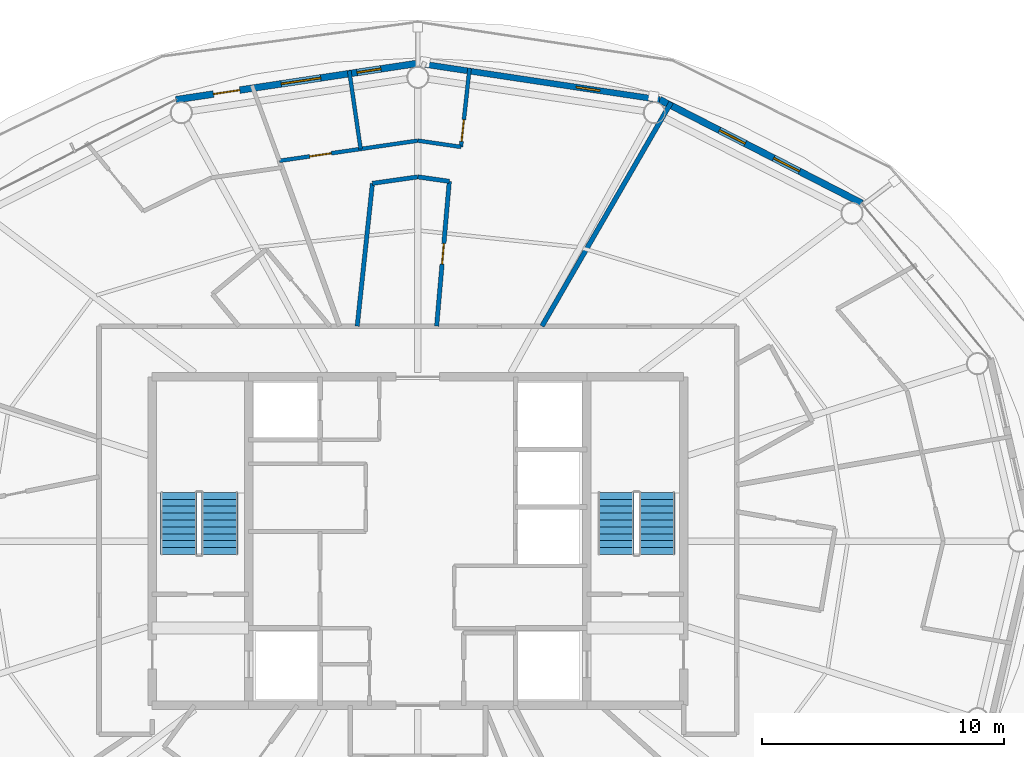
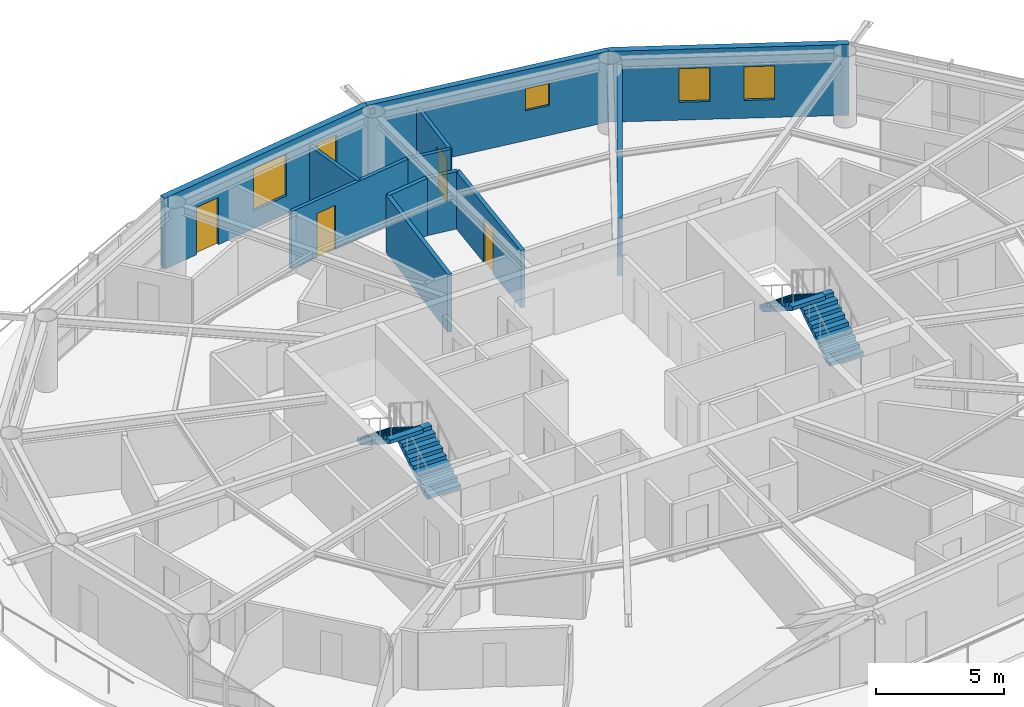
# One storey, part 19 of 22: 12 walls, 5 windows, 4 doors, 4 stair flights, 9 openings, 2 elements without a shape of their own.
"""IFC4 building model written with IfcOpenShell, lengths in metres."""

from ifc_helpers import new_model, si_unit, direction, frame, frame_2d, origin, place, context, subcontext, project, spatial, polyline, rectangle, outline, extrude, material, layer, layer_set, type_object, element, fill, aggregate, save


model = new_model("IFC4")

# Units and contexts
model_context = context("Model", 3, precision=1e-05, world=origin(), true_north=direction((0.0, 1.0)))
body_context = subcontext(model_context, "Body", "Model", "MODEL_VIEW")
ifc_project = project(units=[si_unit("LENGTHUNIT", "METRE"), si_unit("AREAUNIT", "SQUARE_METRE"), si_unit("VOLUMEUNIT", "CUBIC_METRE"), si_unit("PLANEANGLEUNIT", "RADIAN"), si_unit("MASSUNIT", "GRAM", prefix="KILO")], contexts=[model_context])

# Site, building, storey
site_placement = place(None, origin())
site = spatial("IfcSite", under=ifc_project, at=site_placement, CompositionType="ELEMENT")
building_placement = place(site_placement, origin())
building = spatial("IfcBuilding", under=site, at=building_placement, Name="Sarneth Arch Tower", CompositionType="ELEMENT")
storey_placement = place(building_placement, frame((0.0, 0.0, 294.60009765625)))
storey = spatial("IfcBuildingStorey", under=building, at=storey_placement, Name="L76", CompositionType="ELEMENT", Elevation=294.60009765625)

# Wall, opening, window
ifc_material_1 = material(Name="Extruded terracotta rainscreen on Concrete C40/50 backing", Category="masonry")
ifc_layer_1 = layer(ifc_material_1, 0.25)
ifc_layer_set_1 = layer_set([ifc_layer_1], Name="Extruded terracotta rainscreen on Concrete C40/50 backing")
wall_type_1 = type_object("IfcWallType", Name="WALL-EXT-SPAND-250", PredefinedType="SOLIDWALL", material=ifc_layer_set_1)
wall_1_placement = place(storey_placement, frame((58.0126953125, 60.2744140625, 0.0), z_axis=(0.0, 0.0, 1.0), x_axis=(-0.988882522213, 0.148698881169, 0.0)))
wall_1 = element("IfcWall", 1, at=wall_1_placement, inside=storey, type_object=wall_type_1, Name="L76 Terracotta perimeter wall 04", PredefinedType="SOLIDWALL", context=body_context, shape_type="SweptSolid", body=[
    extrude(rectangle(XDim=10.125244140625, YDim=0.25, at=frame_2d((5.0625, 0.0))), origin(), (0.0, 0.0, 1.0), 3.369873046875),
])
opening_1_placement = place(wall_1_placement, frame((2.497802734375, 0.0, 1.419921875)))
opening_1 = element("IfcOpeningElement", 2, at=opening_1_placement, cuts=wall_1, Name="Opening W-14", PredefinedType="OPENING", context=body_context, shape_type="SweptSolid", body=[
    extrude(rectangle(XDim=1.0, YDim=1.050048828125, at=frame_2d((0.5, 0.52490234375))), frame((0.0, 0.135009765625, 0.0), z_axis=(0.0, -1.0, 0.0), x_axis=(1.0, 0.0, 0.0)), (0.0, 0.0, 1.0), 0.27001953125),
])
ifc_material_2 = material(Name="Thermally broken Aluminium 6063-T6 and low-e laminated IGU", Category="aluminium")
window_type_1 = type_object("IfcWindowType", Name="WIN-TWR-1000x1050", PartitioningType="SINGLE_PANEL", PredefinedType="WINDOW", material=ifc_material_2)
window_1_placement = place(opening_1_placement, origin())
window_1 = element("IfcWindow", 3, at=window_1_placement, inside=storey, type_object=window_type_1, Name="L76 Dwelling bedroom window 01", OverallHeight=1.050048828125, OverallWidth=1.0, PartitioningType="SINGLE_PANEL", PredefinedType="WINDOW", context=body_context, shape_type="SweptSolid", body=[
    extrude(rectangle(XDim=1.0, YDim=1.050048828125, at=frame_2d((0.5, 0.52490234375))), frame((0.0, 0.030029296875, 0.0), z_axis=(0.0, -1.0, 0.0), x_axis=(1.0, 0.0, 0.0)), (0.0, 0.0, 1.0), 0.06005859375),
])
fill(opening_1, window_1)

# Wall, openings, windows
ifc_material_3 = material(Name="Extruded terracotta rainscreen on Concrete C40/50 backing", Category="masonry")
ifc_layer_2 = layer(ifc_material_3, 0.280029296875)
ifc_layer_set_2 = layer_set([ifc_layer_2], Name="Extruded terracotta rainscreen on Concrete C40/50 backing")
wall_type_2 = type_object("IfcWallType", Name="WALL-EXT-TERRA-280", PredefinedType="SOLIDWALL", material=ifc_layer_set_2)
wall_2_placement = place(storey_placement, frame((66.382568359375, 55.986572265625, 0.0), z_axis=(0.0, 0.0, 1.0), x_axis=(-0.890007394051, 0.455946091699, 0.0)))
wall_2 = element("IfcWall", 4, at=wall_2_placement, inside=storey, type_object=wall_type_2, Name="L76 Terracotta perimeter wall 03", PredefinedType="SOLIDWALL", context=body_context, shape_type="SweptSolid", body=[
    extrude(rectangle(XDim=9.404296875, YDim=0.280029296875, at=frame_2d((4.7021484375, 0.0))), origin(), (0.0, 0.0, 1.0), 3.369873046875),
])
opening_2_placement = place(wall_2_placement, frame((2.90283203125, 0.0, 0.85009765625)))
opening_2 = element("IfcOpeningElement", 5, at=opening_2_placement, cuts=wall_2, Name="Opening W-10", PredefinedType="OPENING", context=body_context, shape_type="SweptSolid", body=[
    extrude(rectangle(XDim=1.199951171875, YDim=1.60009765625, at=frame_2d((0.60009765625, 0.800048828125))), frame((0.0, 0.14990234375, 0.0), z_axis=(0.0, -1.0, 0.0), x_axis=(1.0, 0.0, 0.0)), (0.0, 0.0, 1.0), 0.300048828125),
])
opening_3_placement = place(wall_2_placement, frame((5.429931640625, 0.0, 0.85009765625)))
opening_3 = element("IfcOpeningElement", 6, at=opening_3_placement, cuts=wall_2, Name="Opening W-10", PredefinedType="OPENING", context=body_context, shape_type="SweptSolid", body=[
    extrude(rectangle(XDim=1.199951171875, YDim=1.60009765625, at=frame_2d((0.60009765625, 0.800048828125))), frame((0.0, 0.14990234375, 0.0), z_axis=(0.0, -1.0, 0.0), x_axis=(1.0, 0.0, 0.0)), (0.0, 0.0, 1.0), 0.300048828125),
])
ifc_material_4 = material(Name="Thermally broken Aluminium 6063-T6 and low-e laminated IGU", Category="aluminium")
window_type_2 = type_object("IfcWindowType", Name="WIN-TWR-1200x1600", PartitioningType="SINGLE_PANEL", PredefinedType="WINDOW", material=ifc_material_4)
window_2_placement = place(opening_2_placement, origin())
window_2 = element("IfcWindow", 7, at=window_2_placement, inside=storey, type_object=window_type_2, Name="L76 Exterior window 03A", OverallHeight=1.60009765625, OverallWidth=1.199951171875, PartitioningType="SINGLE_PANEL", PredefinedType="WINDOW", context=body_context, shape_type="SweptSolid", body=[
    extrude(rectangle(XDim=1.199951171875, YDim=1.60009765625, at=frame_2d((0.60009765625, 0.800048828125))), frame((0.0, 0.030029296875, 0.0), z_axis=(0.0, -1.0, 0.0), x_axis=(1.0, 0.0, 0.0)), (0.0, 0.0, 1.0), 0.06005859375),
])
fill(opening_2, window_2)
window_3_placement = place(opening_3_placement, origin())
window_3 = element("IfcWindow", 8, at=window_3_placement, inside=storey, type_object=window_type_2, Name="L76 Exterior window 03B", OverallHeight=1.60009765625, OverallWidth=1.199951171875, PartitioningType="SINGLE_PANEL", PredefinedType="WINDOW", context=body_context, shape_type="SweptSolid", body=[
    extrude(rectangle(XDim=1.199951171875, YDim=1.60009765625, at=frame_2d((0.60009765625, 0.800048828125))), frame((0.0, 0.030029296875, 0.0), z_axis=(0.0, -1.0, 0.0), x_axis=(1.0, 0.0, 0.0)), (0.0, 0.0, 1.0), 0.06005859375),
])
fill(opening_3, window_3)

# Wall, openings, door, windows
wall_3_placement = place(storey_placement, frame((48.0, 61.780029296875, 0.0), z_axis=(0.0, 0.0, 1.0), x_axis=(-0.988882522213, -0.148698881169, 0.0)))
wall_3 = element("IfcWall", 9, at=wall_3_placement, inside=storey, type_object=wall_type_2, Name="L76 Terracotta perimeter wall 05", PredefinedType="SOLIDWALL", context=body_context, shape_type="SweptSolid", body=[
    extrude(rectangle(XDim=10.125244140625, YDim=0.280029296875, at=frame_2d((5.0625, 0.0))), origin(), (0.0, 0.0, 1.0), 3.369873046875),
])
opening_4_placement = place(wall_3_placement, frame((1.545166015625, 0.0, 0.85009765625)))
opening_4 = element("IfcOpeningElement", 10, at=opening_4_placement, cuts=wall_3, Name="Opening W-11", PredefinedType="OPENING", context=body_context, shape_type="SweptSolid", body=[
    extrude(rectangle(XDim=1.0, YDim=1.800048828125, at=frame_2d((0.5, 0.89990234375))), frame((0.0, 0.14990234375, 0.0), z_axis=(0.0, -1.0, 0.0), x_axis=(1.0, 0.0, 0.0)), (0.0, 0.0, 1.0), 0.300048828125),
])
opening_5_placement = place(wall_3_placement, frame((4.065185546875, 0.0, 0.85009765625)))
opening_5 = element("IfcOpeningElement", 11, at=opening_5_placement, cuts=wall_3, Name="Opening W-05", PredefinedType="OPENING", context=body_context, shape_type="SweptSolid", body=[
    extrude(rectangle(XDim=1.64990234375, YDim=2.0, at=frame_2d((0.824951171875, 1.0))), frame((0.0, 0.14990234375, 0.0), z_axis=(0.0, -1.0, 0.0), x_axis=(1.0, 0.0, 0.0)), (0.0, 0.0, 1.0), 0.300048828125),
])
opening_6_placement = place(wall_3_placement, frame((7.45556640625, 0.0, 0.0)))
opening_6 = element("IfcOpeningElement", 12, at=opening_6_placement, cuts=wall_3, Name="Opening BD-3", PredefinedType="OPENING", context=body_context, shape_type="SweptSolid", body=[
    extrude(rectangle(XDim=1.10009765625, YDim=2.25, at=frame_2d((0.550048828125, 1.125))), frame((0.0, 0.14990234375, 0.0), z_axis=(0.0, -1.0, 0.0), x_axis=(1.0, 0.0, 0.0)), (0.0, 0.0, 1.0), 0.300048828125),
])
ifc_material_5 = material(Name="Thermally broken Aluminium 6063-T6 and laminated safety glass", Category="aluminium")
door_type_1 = type_object("IfcDoorType", Name="DR-BALC-GLZ-1100", OperationType="SINGLE_SWING_LEFT", PredefinedType="DOOR", material=ifc_material_5)
door_1_placement = place(opening_6_placement, origin())
door_1 = element("IfcDoor", 13, at=door_1_placement, inside=storey, type_object=door_type_1, Name="L76 Balcony glazed door 05", OperationType="SINGLE_SWING_LEFT", OverallHeight=2.25, OverallWidth=1.10009765625, PredefinedType="DOOR", context=body_context, shape_type="SweptSolid", body=[
    extrude(rectangle(XDim=1.10009765625, YDim=2.25, at=frame_2d((0.550048828125, 1.125))), frame((0.0, 0.02490234375, 0.0), z_axis=(0.0, -1.0, 0.0), x_axis=(1.0, 0.0, 0.0)), (0.0, 0.0, 1.0), 0.050048828125),
])
fill(opening_6, door_1)
ifc_material_6 = material(Name="Thermally broken Aluminium 6063-T6 and low-e laminated IGU", Category="aluminium")
window_type_3 = type_object("IfcWindowType", Name="WIN-TWR-1000x1800", PartitioningType="SINGLE_PANEL", PredefinedType="WINDOW", material=ifc_material_6)
window_4_placement = place(opening_4_placement, origin())
window_4 = element("IfcWindow", 14, at=window_4_placement, inside=storey, type_object=window_type_3, Name="L76 Exterior window 05A", OverallHeight=1.800048828125, OverallWidth=1.0, PartitioningType="SINGLE_PANEL", PredefinedType="WINDOW", context=body_context, shape_type="SweptSolid", body=[
    extrude(rectangle(XDim=1.0, YDim=1.800048828125, at=frame_2d((0.5, 0.89990234375))), frame((0.0, 0.030029296875, 0.0), z_axis=(0.0, -1.0, 0.0), x_axis=(1.0, 0.0, 0.0)), (0.0, 0.0, 1.0), 0.06005859375),
])
fill(opening_4, window_4)
ifc_material_7 = material(Name="Thermally broken Aluminium 6063-T6 and low-e laminated IGU", Category="aluminium")
window_type_4 = type_object("IfcWindowType", Name="WIN-TWR-1650x2000", PartitioningType="DOUBLE_PANEL_VERTICAL", PredefinedType="WINDOW", material=ifc_material_7)
window_5_placement = place(opening_5_placement, origin())
window_5 = element("IfcWindow", 15, at=window_5_placement, inside=storey, type_object=window_type_4, Name="L76 Exterior window 05B", OverallHeight=2.0, OverallWidth=1.64990234375, PartitioningType="SINGLE_PANEL", PredefinedType="WINDOW", context=body_context, shape_type="SweptSolid", body=[
    extrude(rectangle(XDim=1.64990234375, YDim=2.0, at=frame_2d((0.824951171875, 1.0))), frame((0.0, 0.030029296875, 0.0), z_axis=(0.0, -1.0, 0.0), x_axis=(1.0, 0.0, 0.0)), (0.0, 0.0, 1.0), 0.06005859375),
])
fill(opening_5, window_5)

# Wall, opening, door
ifc_material_8 = material(Name="Kitchen wet service chase wall", Category="gypsum")
ifc_layer_3 = layer(ifc_material_8, 0.159912109375)
ifc_layer_set_3 = layer_set([ifc_layer_3], Name="Kitchen wet service chase wall")
wall_type_3 = type_object("IfcWallType", Name="WALL-PLUMB-160", PredefinedType="PLUMBINGWALL", material=ifc_layer_set_3)
wall_4_placement = place(storey_placement, frame((42.26953125, 57.744384765625, 0.0), z_axis=(0.0, 0.0, 1.0), x_axis=(0.989539000253, 0.144265612597, 0.0)))
wall_4 = element("IfcWall", 16, at=wall_4_placement, inside=storey, type_object=wall_type_3, Name="L76 Interior partition W-L76-TP-043", PredefinedType="PLUMBINGWALL", context=body_context, shape_type="SweptSolid", body=[
    extrude(rectangle(XDim=5.791015625, YDim=0.159912109375, at=frame_2d((2.8955078125, 0.0))), origin(), (0.0, 0.0, 1.0), 2.72998046875),
])
opening_7_placement = place(wall_4_placement, frame((1.26513671875, 0.0, 0.0)))
opening_7 = element("IfcOpeningElement", 17, at=opening_7_placement, cuts=wall_4, Name="Opening ID-01", PredefinedType="OPENING", context=body_context, shape_type="SweptSolid", body=[
    extrude(rectangle(XDim=0.89990234375, YDim=2.10009765625, at=frame_2d((0.449951171875, 1.050048828125))), frame((0.0, 0.08984375, 0.0), z_axis=(0.0, -1.0, 0.0), x_axis=(1.0, 0.0, 0.0)), (0.0, 0.0, 1.0), 0.179931640625),
])
ifc_material_9 = material(Name="Engineered hardwood flush door", Category="wood")
door_type_2 = type_object("IfcDoorType", Name="DR-INT-900", OperationType="SINGLE_SWING_LEFT", PredefinedType="DOOR", material=ifc_material_9)
door_2_placement = place(opening_7_placement, origin())
door_2 = element("IfcDoor", 18, at=door_2_placement, inside=storey, type_object=door_type_2, Name="L76 Interior door DR-L76-U2-BED1", OperationType="SINGLE_SWING_LEFT", OverallHeight=2.10009765625, OverallWidth=0.89990234375, PredefinedType="DOOR", context=body_context, shape_type="SweptSolid", body=[
    extrude(rectangle(XDim=0.89990234375, YDim=2.10009765625, at=frame_2d((0.449951171875, 1.050048828125))), frame((0.0, 0.02490234375, 0.0), z_axis=(0.0, -1.0, 0.0), x_axis=(1.0, 0.0, 0.0)), (0.0, 0.0, 1.0), 0.050048828125),
])
fill(opening_7, door_2)

wall_5_placement = place(storey_placement, frame((49.784912109375, 58.319580078125, 0.0), z_axis=(0.0, 0.0, 1.0), x_axis=(0.10862542944, 0.994082751122, 0.0)))
wall_5 = element("IfcWall", 19, at=wall_5_placement, inside=storey, type_object=wall_type_3, Name="L76 Interior partition W-L76-TP-038", PredefinedType="PLUMBINGWALL", context=body_context, shape_type="SweptSolid", body=[
    extrude(rectangle(XDim=3.279052734375, YDim=0.159912109375, at=frame_2d((1.6396484375, 0.0))), origin(), (0.0, 0.0, 1.0), 2.72998046875),
])
opening_8_placement = place(wall_5_placement, frame((0.2294921875, 0.0, 0.0)))
opening_8 = element("IfcOpeningElement", 20, at=opening_8_placement, cuts=wall_5, Name="Opening ID-01", PredefinedType="OPENING", context=body_context, shape_type="SweptSolid", body=[
    extrude(rectangle(XDim=0.89990234375, YDim=2.10009765625, at=frame_2d((0.449951171875, 1.050048828125))), frame((0.0, 0.08984375, 0.0), z_axis=(0.0, -1.0, 0.0), x_axis=(1.0, 0.0, 0.0)), (0.0, 0.0, 1.0), 0.179931640625),
])
door_3_placement = place(opening_8_placement, origin())
door_3 = element("IfcDoor", 21, at=door_3_placement, inside=storey, type_object=door_type_2, Name="L76 Interior door DR-L76-U2-KIT", OperationType="SINGLE_SWING_RIGHT", OverallHeight=2.10009765625, OverallWidth=0.89990234375, PredefinedType="DOOR", context=body_context, shape_type="SweptSolid", body=[
    extrude(rectangle(XDim=0.89990234375, YDim=2.10009765625, at=frame_2d((0.449951171875, 1.050048828125))), frame((0.0, 0.02490234375, 0.0), z_axis=(0.0, -1.0, 0.0), x_axis=(1.0, 0.0, 0.0)), (0.0, 0.0, 1.0), 0.050048828125),
])
fill(opening_8, door_3)

# Walls
wall_6_placement = place(storey_placement, frame((45.632080078125, 58.234619140625, 0.0), z_axis=(0.0, 0.0, 1.0), x_axis=(-0.144229306062, 0.989544292729, 0.0)))
element("IfcWall", 22, at=wall_6_placement, inside=storey, type_object=wall_type_3, Name="L76 Interior partition W-L76-TP-046", PredefinedType="PLUMBINGWALL", context=body_context, shape_type="SweptSolid", body=[
    extrude(rectangle(XDim=3.273681640625, YDim=0.159912109375, at=frame_2d((1.63671875, 0.0))), origin(), (0.0, 0.0, 1.0), 2.72998046875),
])
wall_7_placement = place(storey_placement, frame((48.0, 58.580078125, 0.0), z_axis=(0.0, 0.0, 1.0), x_axis=(0.989517272035, -0.144414571093, 0.0)))
element("IfcWall", 23, at=wall_7_placement, inside=storey, type_object=wall_type_3, Name="L76 Interior partition W-L76-TP-037", PredefinedType="PLUMBINGWALL", context=body_context, shape_type="SweptSolid", body=[
    extrude(rectangle(XDim=1.8037109375, YDim=0.159912109375, at=frame_2d((0.90185546875, 0.0))), origin(), (0.0, 0.0, 1.0), 2.72998046875),
])

# Wall, opening, door
ifc_material_10 = material(Name="Moisture-resistant plumbing chase wall", Category="gypsum")
ifc_layer_4 = layer(ifc_material_10, 0.179931640625)
ifc_layer_set_4 = layer_set([ifc_layer_4], Name="Moisture-resistant plumbing chase wall")
wall_type_4 = type_object("IfcWallType", Name="WALL-PLUMB-180", PredefinedType="PLUMBINGWALL", material=ifc_layer_set_4)
wall_8_placement = place(storey_placement, frame((48.778564453125, 50.89990234375, 0.0), z_axis=(0.0, 0.0, 1.0), x_axis=(0.087161916548, 0.996194157935, 0.0)))
wall_8 = element("IfcWall", 24, at=wall_8_placement, inside=storey, type_object=wall_type_4, Name="L76 Interior partition W-L76-TP-039", PredefinedType="PLUMBINGWALL", context=body_context, shape_type="SweptSolid", body=[
    extrude(rectangle(XDim=6.0166015625, YDim=0.179931640625, at=frame_2d((3.00830078125, 0.0))), origin(), (0.0, 0.0, 1.0), 2.72998046875),
])
opening_9_placement = place(wall_8_placement, frame((2.583251953125, 0.0, 0.0)))
opening_9 = element("IfcOpeningElement", 25, at=opening_9_placement, cuts=wall_8, Name="Opening ID-02", PredefinedType="OPENING", context=body_context, shape_type="SweptSolid", body=[
    extrude(rectangle(XDim=0.85009765625, YDim=2.10009765625, at=frame_2d((0.425048828125, 1.050048828125))), frame((0.0, 0.099853515625, 0.0), z_axis=(0.0, -1.0, 0.0), x_axis=(1.0, 0.0, 0.0)), (0.0, 0.0, 1.0), 0.199951171875),
])
ifc_material_11 = material(Name="Moisture-resistant bathroom timber door", Category="wood")
door_type_3 = type_object("IfcDoorType", Name="DR-INT-850", OperationType="SINGLE_SWING_RIGHT", PredefinedType="DOOR", material=ifc_material_11)
door_4_placement = place(opening_9_placement, origin())
door_4 = element("IfcDoor", 26, at=door_4_placement, inside=storey, type_object=door_type_3, Name="L76 Interior door DR-L76-U2-BATH", OperationType="SINGLE_SWING_LEFT", OverallHeight=2.10009765625, OverallWidth=0.85009765625, PredefinedType="DOOR", context=body_context, shape_type="SweptSolid", body=[
    extrude(rectangle(XDim=0.85009765625, YDim=2.10009765625, at=frame_2d((0.425048828125, 1.050048828125))), frame((0.0, 0.02490234375, 0.0), z_axis=(0.0, -1.0, 0.0), x_axis=(1.0, 0.0, 0.0)), (0.0, 0.0, 1.0), 0.050048828125),
])
fill(opening_9, door_4)

# Walls
wall_9_placement = place(storey_placement, frame((46.12158203125, 56.811279296875, 0.0), z_axis=(0.0, 0.0, 1.0), x_axis=(-0.106076350818, -0.994357987747, 0.0)))
element("IfcWall", 27, at=wall_9_placement, inside=storey, type_object=wall_type_4, Name="L76 Interior partition W-L76-TP-042", PredefinedType="PLUMBINGWALL", context=body_context, shape_type="SweptSolid", body=[
    extrude(rectangle(XDim=5.94482421875, YDim=0.179931640625, at=frame_2d((2.972412109375, 0.0))), origin(), (0.0, 0.0, 1.0), 2.72998046875),
])
wall_10_placement = place(storey_placement, frame((48.0, 57.080078125, 0.0), z_axis=(0.0, 0.0, 1.0), x_axis=(-0.989916014165, -0.141655514894, 0.0)))
element("IfcWall", 28, at=wall_10_placement, inside=storey, type_object=wall_type_4, Name="L76 Interior partition W-L76-TP-041", PredefinedType="PLUMBINGWALL", context=body_context, shape_type="SweptSolid", body=[
    extrude(rectangle(XDim=1.8974609375, YDim=0.179931640625, at=frame_2d((0.94873046875, 0.0))), origin(), (0.0, 0.0, 1.0), 2.72998046875),
])
wall_11_placement = place(storey_placement, frame((49.302978515625, 56.8935546875, 0.0), z_axis=(0.0, 0.0, 1.0), x_axis=(-0.989908646774, 0.141706990095, 0.0)))
element("IfcWall", 29, at=wall_11_placement, inside=storey, type_object=wall_type_4, Name="L76 Interior partition W-L76-TP-040", PredefinedType="PLUMBINGWALL", context=body_context, shape_type="SweptSolid", body=[
    extrude(rectangle(XDim=1.316162109375, YDim=0.179931640625, at=frame_2d((0.658203125, 0.0))), origin(), (0.0, 0.0, 1.0), 2.72998046875),
])
ifc_material_12 = material(Name="Double steel-stud acoustic drywall", Category="steel")
ifc_layer_5 = layer(ifc_material_12, 0.199951171875)
ifc_layer_set_5 = layer_set([ifc_layer_5], Name="Double steel-stud acoustic drywall")
wall_type_5 = type_object("IfcWallType", Name="WALL-UNIT-200", PredefinedType="PARTITIONING", material=ifc_layer_set_5)
wall_12_placement = place(storey_placement, frame((58.48779296875, 60.16552734375, 0.0), z_axis=(0.0, 0.0, 1.0), x_axis=(-0.499989775579, -0.866031306776, 0.0)))
element("IfcWall", 30, at=wall_12_placement, inside=storey, type_object=wall_type_5, Name="L76 Interior partition W-L76-TP-033", PredefinedType="PARTITIONING", context=body_context, shape_type="SweptSolid", body=[
    extrude(rectangle(XDim=10.698974609375, YDim=0.199951171875, at=frame_2d((5.349609375, 0.0))), origin(), (0.0, 0.0, 1.0), 2.72998046875),
])

# Stair, stair flights
ifc_material_13 = material(Name="Concrete C50/60", Category="concrete")
stair_type = type_object("IfcStairType", Name="STAIR-CORE-RC", PredefinedType="HALF_TURN_STAIR", material=ifc_material_13)
stair_1_placement = place(storey_placement, origin())
stair_1 = element("IfcStair", 31, at=stair_1_placement, inside=storey, type_object=stair_type, Name="L76 Core Exit Stair 1", PredefinedType="HALF_TURN_STAIR")
ifc_material_14 = material(Name="Concrete C50/60", Category="concrete")
stair_flight_type = type_object("IfcStairFlightType", Name="FLIGHT-RC-1500", PredefinedType="STRAIGHT", material=ifc_material_14)
stair_flight_1_placement = place(storey_placement, frame((39.800048828125, 41.449951171875, 0.0), z_axis=(0.0, 0.0, 1.0), x_axis=(0.0, 1.0, 0.0)))
stair_flight_1 = element("IfcStairFlight", 32, at=stair_flight_1_placement, type_object=stair_flight_type, Name="ST-1 flight 1", NumberOfRisers=10, NumberOfTreads=9, PredefinedType="STRAIGHT", RiserHeight=0.18, TreadLength=0.285, context=body_context, shape_type="SweptSolid", body=[
    extrude(outline(polyline([(0.0, 0.0), (0.0, 0.179931640625), (0.284912109375, 0.179931640625), (0.284912109375, 0.360107421875), (0.570068359375, 0.360107421875), (0.570068359375, 0.5400390625), (0.85498046875, 0.5400390625), (0.85498046875, 0.719970703125), (1.139892578125, 0.719970703125), (1.139892578125, 0.89990234375), (1.425048828125, 0.89990234375), (1.425048828125, 1.080078125), (1.7099609375, 1.080078125), (1.7099609375, 1.260009765625), (1.9951171875, 1.260009765625), (1.9951171875, 1.43994140625), (2.280029296875, 1.43994140625), (2.280029296875, 1.6201171875), (2.56494140625, 1.6201171875), (2.56494140625, 1.800048828125), (2.56494140625, 1.442626953125), (0.28076171875, 0.0), (0.0, 0.0)])), frame((0.0, 0.75, 0.0), z_axis=(0.0, -1.0, 0.0), x_axis=(1.0, 0.0, 0.0)), (0.0, 0.0, 1.0), 1.5),
])
stair_flight_2_placement = place(storey_placement, frame((38.10009765625, 44.014892578125, 1.7998046875), z_axis=(0.0, 0.0, 1.0), x_axis=(0.0, -1.0, 0.0)))
stair_flight_2 = element("IfcStairFlight", 33, at=stair_flight_2_placement, type_object=stair_flight_type, Name="ST-1 flight 2", NumberOfRisers=10, NumberOfTreads=9, PredefinedType="STRAIGHT", RiserHeight=0.18, TreadLength=0.285, context=body_context, shape_type="SweptSolid", body=[
    extrude(outline(polyline([(0.0, 0.0), (0.0, 0.179931640625), (0.284912109375, 0.179931640625), (0.284912109375, 0.360107421875), (0.570068359375, 0.360107421875), (0.570068359375, 0.5400390625), (0.85498046875, 0.5400390625), (0.85498046875, 0.719970703125), (1.139892578125, 0.719970703125), (1.139892578125, 0.89990234375), (1.425048828125, 0.89990234375), (1.425048828125, 1.080078125), (1.7099609375, 1.080078125), (1.7099609375, 1.260009765625), (1.9951171875, 1.260009765625), (1.9951171875, 1.43994140625), (2.280029296875, 1.43994140625), (2.280029296875, 1.6201171875), (2.56494140625, 1.6201171875), (2.56494140625, 1.800048828125), (2.56494140625, 1.442626953125), (0.28076171875, 0.0), (0.0, 0.0)])), frame((0.0, 0.75, 0.0), z_axis=(0.0, -1.0, 0.0), x_axis=(1.0, 0.0, 0.0)), (0.0, 0.0, 1.0), 1.5),
])
aggregate(stair_1, [stair_flight_1, stair_flight_2])

stair_2_placement = place(storey_placement, origin())
stair_2 = element("IfcStair", 34, at=stair_2_placement, inside=storey, type_object=stair_type, Name="L76 Core Exit Stair 2", PredefinedType="HALF_TURN_STAIR")
stair_flight_3_placement = place(storey_placement, frame((57.89990234375, 41.449951171875, 0.0), z_axis=(0.0, 0.0, 1.0), x_axis=(0.0, 1.0, 0.0)))
stair_flight_3 = element("IfcStairFlight", 35, at=stair_flight_3_placement, type_object=stair_flight_type, Name="ST-2 flight 1", NumberOfRisers=10, NumberOfTreads=9, PredefinedType="STRAIGHT", RiserHeight=0.18, TreadLength=0.285, context=body_context, shape_type="SweptSolid", body=[
    extrude(outline(polyline([(0.0, 0.0), (0.0, 0.179931640625), (0.284912109375, 0.179931640625), (0.284912109375, 0.360107421875), (0.570068359375, 0.360107421875), (0.570068359375, 0.5400390625), (0.85498046875, 0.5400390625), (0.85498046875, 0.719970703125), (1.139892578125, 0.719970703125), (1.139892578125, 0.89990234375), (1.425048828125, 0.89990234375), (1.425048828125, 1.080078125), (1.7099609375, 1.080078125), (1.7099609375, 1.260009765625), (1.9951171875, 1.260009765625), (1.9951171875, 1.43994140625), (2.280029296875, 1.43994140625), (2.280029296875, 1.6201171875), (2.56494140625, 1.6201171875), (2.56494140625, 1.800048828125), (2.56494140625, 1.442626953125), (0.28076171875, 0.0), (0.0, 0.0)])), frame((0.0, 0.75, 0.0), z_axis=(0.0, -1.0, 0.0), x_axis=(1.0, 0.0, 0.0)), (0.0, 0.0, 1.0), 1.5),
])
stair_flight_4_placement = place(storey_placement, frame((56.199951171875, 44.014892578125, 1.7998046875), z_axis=(0.0, 0.0, 1.0), x_axis=(0.0, -1.0, 0.0)))
stair_flight_4 = element("IfcStairFlight", 36, at=stair_flight_4_placement, type_object=stair_flight_type, Name="ST-2 flight 2", NumberOfRisers=10, NumberOfTreads=9, PredefinedType="STRAIGHT", RiserHeight=0.18, TreadLength=0.285, context=body_context, shape_type="SweptSolid", body=[
    extrude(outline(polyline([(0.0, 0.0), (0.0, 0.179931640625), (0.284912109375, 0.179931640625), (0.284912109375, 0.360107421875), (0.570068359375, 0.360107421875), (0.570068359375, 0.5400390625), (0.85498046875, 0.5400390625), (0.85498046875, 0.719970703125), (1.139892578125, 0.719970703125), (1.139892578125, 0.89990234375), (1.425048828125, 0.89990234375), (1.425048828125, 1.080078125), (1.7099609375, 1.080078125), (1.7099609375, 1.260009765625), (1.9951171875, 1.260009765625), (1.9951171875, 1.43994140625), (2.280029296875, 1.43994140625), (2.280029296875, 1.6201171875), (2.56494140625, 1.6201171875), (2.56494140625, 1.800048828125), (2.56494140625, 1.442626953125), (0.28076171875, 0.0), (0.0, 0.0)])), frame((0.0, 0.75, 0.0), z_axis=(0.0, -1.0, 0.0), x_axis=(1.0, 0.0, 0.0)), (0.0, 0.0, 1.0), 1.5),
])
aggregate(stair_2, [stair_flight_3, stair_flight_4])

save(model, "model.ifc")
